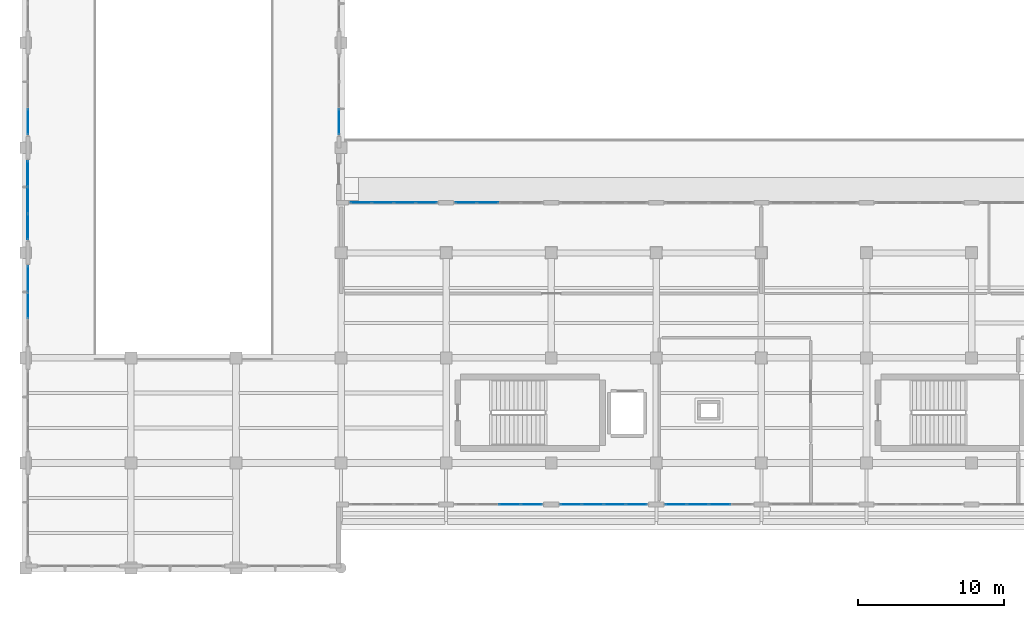
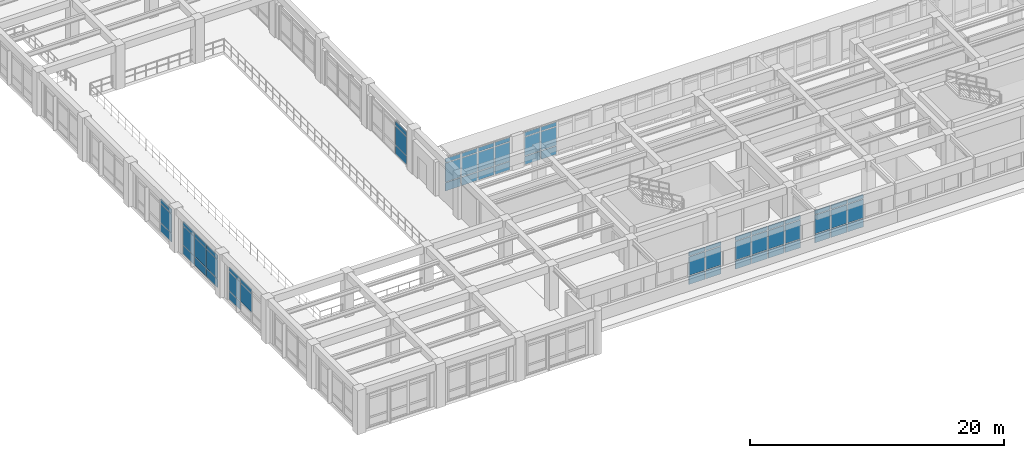
# One storey, part 34 of 67: 65 plates, 9 elements without a shape of their own.
"""IFC4 building model written with IfcOpenShell, lengths in metres."""

import ifcopenshell
import ifcopenshell.guid

model = None  # the IFC model being written
_history = None  # IfcOwnerHistory: only IFC2X3 demands one
_inside = {}  # id of a spatial element -> (the spatial element, [elements in it])
_under = {}  # id of a project, library or spatial element -> (it, [spatial elements below it])
_declared = {}  # id of a project -> (the project, [libraries it declares])
_typed = {}  # id of a type object -> (the type object, [elements of that type])
_made_of = {}  # id of a material, layer set ... -> (it, [elements and type objects made of it])


def new_model(schema):
    """Start an empty IFC model of exactly this schema.

    Asked for "IFC4X3", IfcOpenShell would pick the latest addendum, in which some entities
    have other attributes; the version numbers below select the first issue.
    IFC2X3 requires an IfcOwnerHistory on every rooted entity: one is made here for all.
    """
    global model, _history
    if schema == "IFC4X3":
        model = ifcopenshell.file(schema_version=(4, 3, 0, 0))
    else:
        model = ifcopenshell.file(schema=schema)
    _inside.clear()
    _under.clear()
    _declared.clear()
    _typed.clear()
    _made_of.clear()
    _history = None
    if model.schema == "IFC2X3":
        org = make("IfcOrganization", Name="unknown")
        user = make(
            "IfcPersonAndOrganization",
            ThePerson=make("IfcPerson", FamilyName="unknown"),
            TheOrganization=org,
        )
        app = make(
            "IfcApplication",
            ApplicationDeveloper=org,
            Version="unknown",
            ApplicationFullName="unknown",
            ApplicationIdentifier="unknown",
        )
        _history = make(
            "IfcOwnerHistory",
            OwningUser=user,
            OwningApplication=app,
            ChangeAction="ADDED",
            CreationDate=0,
        )
    return model


def make(cls, **values):
    """One entity of the class cls with the attributes given. An attribute that is None is left unset."""
    return model.create_entity(
        cls, **{name: value for name, value in values.items() if value is not None}
    )


def rooted(cls, **values):
    """An entity with a GlobalId (a new one), such as an element, a storey or a relation."""
    return make(cls, GlobalId=ifcopenshell.guid.new(), OwnerHistory=_history, **values)


def si_unit(unit_type, name, prefix=None):
    """IfcSIUnit, for example si_unit("LENGTHUNIT", "METRE", prefix="MILLI")."""
    return make("IfcSIUnit", UnitType=unit_type, Prefix=prefix, Name=name)


def assignment(units):
    """IfcUnitAssignment: the units of a project."""
    return None if units is None else make("IfcUnitAssignment", Units=units)


def point(xyz):
    """IfcCartesianPoint."""
    return None if xyz is None else make("IfcCartesianPoint", Coordinates=xyz)


def direction(xyz):
    """IfcDirection."""
    return None if xyz is None else make("IfcDirection", DirectionRatios=xyz)


def frame(location, z_axis=None, x_axis=None):
    """IfcAxis2Placement3D, a coordinate frame: its origin and axes. An axis left out is left unset."""
    return make(
        "IfcAxis2Placement3D",
        Location=point(location),
        Axis=direction(z_axis),
        RefDirection=direction(x_axis),
    )


def frame_2d(location, x_axis=None):
    """IfcAxis2Placement2D, a coordinate frame in the plane: its origin and x axis."""
    return make(
        "IfcAxis2Placement2D", Location=point(location), RefDirection=direction(x_axis)
    )


def origin():
    """The frame at (0, 0, 0) with its axes left unset."""
    return frame((0.0, 0.0, 0.0))


def origin_2d():
    """The frame at (0, 0) in the plane with its x axis left unset."""
    return frame_2d((0.0, 0.0))


def place(relative_to, where):
    """IfcLocalPlacement: puts the frame where relative to a parent placement (None: the world)."""
    return make(
        "IfcLocalPlacement", PlacementRelTo=relative_to, RelativePlacement=where
    )


def context(
    kind, dimensions, precision=None, world=None, true_north=None, identifier=None
):
    """IfcGeometricRepresentationContext, for example the 3D "Model" context."""
    return make(
        "IfcGeometricRepresentationContext",
        ContextIdentifier=identifier,
        ContextType=kind,
        CoordinateSpaceDimension=dimensions,
        Precision=precision,
        WorldCoordinateSystem=world,
        TrueNorth=true_north,
    )


def subcontext(parent, identifier, kind, view, scale=None):
    """IfcGeometricRepresentationSubContext, for example "Body" below "Model"."""
    return make(
        "IfcGeometricRepresentationSubContext",
        ContextIdentifier=identifier,
        ContextType=kind,
        ParentContext=parent,
        TargetScale=scale,
        TargetView=view,
    )


def project(units=None, contexts=None):
    """IfcProject with its units and contexts."""
    return rooted(
        "IfcProject",
        Name="project",
        RepresentationContexts=contexts,
        UnitsInContext=assignment(units),
    )


def spatial(cls, under=None, at=None, **own):
    """A site, building, storey or space (cls), placed at a placement, below another one or the project."""
    s = rooted(cls, ObjectPlacement=at, **own)
    if under is not None:
        _under.setdefault(under.id(), (under, []))[1].append(s)
    return s


def profile(cls, at=None, kind="AREA", **sizes):
    """A parametric profile (cls). Its sizes go by their IFC names, for example OverallWidth=200.0."""
    return make(cls, ProfileType=kind, Position=at, **sizes)


def rectangle(**sizes):
    """IfcRectangleProfileDef."""
    return profile("IfcRectangleProfileDef", **sizes)


def extrude(swept, where, along, depth):
    """IfcExtrudedAreaSolid: the profile swept, set in the frame where, extruded along a direction by depth."""
    return make(
        "IfcExtrudedAreaSolid",
        SweptArea=swept,
        Position=where,
        ExtrudedDirection=direction(along),
        Depth=depth,
    )


def shape(context_of_items, identifier, shape_type, items):
    """IfcShapeRepresentation: the items that make up one representation, for example the "Body"."""
    return make(
        "IfcShapeRepresentation",
        ContextOfItems=context_of_items,
        RepresentationIdentifier=identifier,
        RepresentationType=shape_type,
        Items=items,
    )


def material(Name=None, Category=None):
    """IfcMaterial."""
    return make("IfcMaterial", Name=Name, Category=Category)


def layer(
    of_material, thickness, ventilated=None, Name=None, Category=None, Priority=None
):
    """IfcMaterialLayer: one layer of a wall or slab, of a material (None: an air gap)."""
    return make(
        "IfcMaterialLayer",
        Material=of_material,
        LayerThickness=thickness,
        IsVentilated=ventilated,
        Name=Name,
        Category=Category,
        Priority=Priority,
    )


def layer_set(layers, Name=None):
    """IfcMaterialLayerSet."""
    return make("IfcMaterialLayerSet", MaterialLayers=layers, LayerSetName=Name)


def made_of(thing, what):
    """Note that an element or type object is made of a material, layer set ...; save() writes the relation."""
    if what is not None:
        _made_of.setdefault(what.id(), (what, []))[1].append(thing)
    return thing


def type_object(cls, material=None, **own):
    """A type object (cls), such as IfcWallType, which elements share."""
    return made_of(rooted(cls, **own), material)


def element(
    cls,
    number,
    at=None,
    inside=None,
    cuts=None,
    type_object=None,
    material=None,
    context=None,
    identifier="Body",
    shape_type=None,
    held_by="IfcProductDefinitionShape",
    body=None,
    shapes=None,
    **own,
):
    """One element of the class cls, such as IfcWall. Its Tag is "e" and its number.

    at: its placement. inside: the storey or other place that contains it. cuts: it is an
    opening in that element (IfcRelVoidsElement). A single representation is given by context,
    identifier, shape_type and body (its items); several are given by shapes. held_by: the class
    of the entity that holds the representations. save() writes the other relations.
    """
    e = rooted(cls, Tag="e%d" % number, ObjectPlacement=at, **own)
    if body is not None:
        shapes = [shape(context, identifier, shape_type, body)]
    if shapes is not None:
        e.Representation = make(held_by, Representations=shapes)
    if inside is not None:
        _inside.setdefault(inside.id(), (inside, []))[1].append(e)
    if cuts is not None:
        rooted(
            "IfcRelVoidsElement", RelatingBuildingElement=cuts, RelatedOpeningElement=e
        )
    if type_object is not None:
        _typed.setdefault(type_object.id(), (type_object, []))[1].append(e)
    return made_of(e, material)


def aggregate(whole, parts):
    """IfcRelAggregates: a whole, such as a stair, and the parts it consists of."""
    return rooted("IfcRelAggregates", RelatingObject=whole, RelatedObjects=parts)


def save(model, path):
    """Write the relations noted so far, then the file.

    IfcRelAggregates (storeys below a building ...), IfcRelContainedInSpatialStructure (elements
    in a storey), IfcRelDefinesByType, IfcRelAssociatesMaterial and IfcRelDeclares: one each for
    every whole, place, type object, material and project.
    """
    for whole, parts in _under.values():
        aggregate(whole, parts)
    for where, things in _inside.values():
        rooted(
            "IfcRelContainedInSpatialStructure",
            RelatedElements=things,
            RelatingStructure=where,
        )
    for kind, things in _typed.values():
        rooted("IfcRelDefinesByType", RelatedObjects=things, RelatingType=kind)
    for what, things in _made_of.values():
        rooted("IfcRelAssociatesMaterial", RelatedObjects=things, RelatingMaterial=what)
    for by, libraries in _declared.values():
        rooted("IfcRelDeclares", RelatingContext=by, RelatedDefinitions=libraries)
    model.write(path)


model = new_model("IFC4")

# Units and contexts
model_context = context("Model", 3, precision=1e-05, world=origin(), true_north=direction((0.0, 1.0)))
body_context = subcontext(model_context, "Body", "Model", "MODEL_VIEW")
ifc_project = project(units=[si_unit("LENGTHUNIT", "METRE"), si_unit("AREAUNIT", "SQUARE_METRE"), si_unit("VOLUMEUNIT", "CUBIC_METRE"), si_unit("PLANEANGLEUNIT", "RADIAN"), si_unit("MASSUNIT", "GRAM", prefix="KILO")], contexts=[model_context])

# Site, building, storey
site_placement = place(None, origin())
site = spatial("IfcSite", under=ifc_project, at=site_placement, CompositionType="ELEMENT")
building_placement = place(site_placement, origin())
building = spatial("IfcBuilding", under=site, at=building_placement, Name="Solenvale Faculty of Natural Sciences", CompositionType="ELEMENT")
storey_placement = place(building_placement, frame((0.0, 0.0, 13.5)))
storey = spatial("IfcBuildingStorey", under=building, at=storey_placement, Name="L03", CompositionType="ELEMENT", Elevation=13.5)

# Curtain wall, plates
ifc_material_1 = material(Name="Anodised bronze aluminium", Category="aluminium")
ifc_layer_1 = layer(ifc_material_1, 0.215087890625)
ifc_layer_set_1 = layer_set([ifc_layer_1], Name="Anodised bronze aluminium")
curtain_wall_type_1 = type_object("IfcCurtainWallType", Name="CW-ATR-UNIT", PredefinedType="USERDEFINED", material=ifc_layer_set_1)
curtain_wall_1_placement = place(storey_placement, origin())
curtain_wall_1 = element("IfcCurtainWall", 1, at=curtain_wall_1_placement, inside=storey, type_object=curtain_wall_type_1, Name="L03 Curtain Wall CW-L03-P1-E3-B9", ObjectType="UNITISED CURTAIN WALL", PredefinedType="USERDEFINED")
ifc_material_2 = material(Name="North-light skylight glass", Category="glass")
ifc_layer_2 = layer(ifc_material_2, 0.028076171875)
ifc_layer_set_2 = layer_set([ifc_layer_2], Name="North-light skylight glass")
plate_type_1 = type_object("IfcPlateType", Name="CWP-PNL-28", PredefinedType="CURTAIN_PANEL", material=ifc_layer_set_2)
plate_1_placement = place(storey_placement, frame((36.142578125, 34.214599609375, 0.074951171875), z_axis=(0.0, 0.0, 1.0), x_axis=(0.0, -1.0, 0.0)))
plate_1 = element("IfcPlate", 2, at=plate_1_placement, type_object=plate_type_1, Name="CW-01 panel 1.1", PredefinedType="CURTAIN_PANEL", context=body_context, shape_type="SweptSolid", body=[
    extrude(rectangle(XDim=1.720947265625, YDim=0.028076171875, at=origin_2d()), origin(), (0.0, 0.0, 1.0), 0.78759765625),
])
plate_2_placement = place(storey_placement, frame((36.142578125, 34.214599609375, 0.9375), z_axis=(0.0, 0.0, 1.0), x_axis=(0.0, -1.0, 0.0)))
plate_2 = element("IfcPlate", 3, at=plate_2_placement, type_object=plate_type_1, Name="CW-01 panel 1.2", PredefinedType="CURTAIN_PANEL", context=body_context, shape_type="SweptSolid", body=[
    extrude(rectangle(XDim=1.720947265625, YDim=0.028076171875, at=origin_2d()), origin(), (0.0, 0.0, 1.0), 1.784912109375),
])
plate_3_placement = place(storey_placement, frame((36.142578125, 34.214599609375, 2.79736328125), z_axis=(0.0, 0.0, 1.0), x_axis=(0.0, -1.0, 0.0)))
plate_3 = element("IfcPlate", 4, at=plate_3_placement, type_object=plate_type_1, Name="CW-01 panel 1.3", PredefinedType="CURTAIN_PANEL", context=body_context, shape_type="SweptSolid", body=[
    extrude(rectangle(XDim=1.720947265625, YDim=0.028076171875, at=origin_2d()), origin(), (0.0, 0.0, 1.0), 0.387451171875),
])
plate_4_placement = place(storey_placement, frame((36.142578125, 32.39990234375, 0.9375), z_axis=(0.0, 0.0, 1.0), x_axis=(0.0, -1.0, 0.0)))
plate_4 = element("IfcPlate", 5, at=plate_4_placement, type_object=plate_type_1, Name="CW-01 panel 2.2", PredefinedType="CURTAIN_PANEL", context=body_context, shape_type="SweptSolid", body=[
    extrude(rectangle(XDim=1.75830078125, YDim=0.028076171875, at=origin_2d()), origin(), (0.0, 0.0, 1.0), 1.784912109375),
])
plate_5_placement = place(storey_placement, frame((36.142578125, 32.39990234375, 2.79736328125), z_axis=(0.0, 0.0, 1.0), x_axis=(0.0, -1.0, 0.0)))
plate_5 = element("IfcPlate", 6, at=plate_5_placement, type_object=plate_type_1, Name="CW-01 panel 2.3", PredefinedType="CURTAIN_PANEL", context=body_context, shape_type="SweptSolid", body=[
    extrude(rectangle(XDim=1.75830078125, YDim=0.028076171875, at=origin_2d()), origin(), (0.0, 0.0, 1.0), 0.387451171875),
])
aggregate(curtain_wall_1, [plate_1, plate_2, plate_3, plate_4, plate_5])

ifc_layer_3 = layer(ifc_material_1, 0.18994140625)
ifc_layer_set_3 = layer_set([ifc_layer_3], Name="Anodised bronze aluminium")
curtain_wall_type_2 = type_object("IfcCurtainWallType", Name="CW-TRAY-REC", PredefinedType="USERDEFINED", material=ifc_layer_set_3)
curtain_wall_2_placement = place(storey_placement, origin())
curtain_wall_2 = element("IfcCurtainWall", 7, at=curtain_wall_2_placement, inside=storey, type_object=curtain_wall_type_2, Name="L03 Curtain Wall CW-L03-P1-E8-B7", ObjectType="UNITISED CURTAIN WALL", PredefinedType="USERDEFINED")
ifc_material_3 = material(Name="Triple low-E insulated glass", Category="glass")
ifc_layer_4 = layer(ifc_material_3, 0.0400390625)
ifc_layer_set_4 = layer_set([ifc_layer_4], Name="Triple low-E insulated glass")
plate_type_2 = type_object("IfcPlateType", Name="CWP-PNL-40", PredefinedType="CURTAIN_PANEL", material=ifc_layer_set_4)
plate_6_placement = place(storey_placement, frame((67.64501953125, 39.4375, 0.074951171875), z_axis=(0.0, 0.0, 1.0), x_axis=(-1.0, 0.0, 0.0)))
plate_6 = element("IfcPlate", 8, at=plate_6_placement, type_object=plate_type_2, Name="CW-02 panel 3.1", PredefinedType="CURTAIN_PANEL", context=body_context, shape_type="SweptSolid", body=[
    extrude(rectangle(XDim=1.43505859375, YDim=0.0400390625, at=origin_2d()), origin(), (0.0, 0.0, 1.0), 0.78759765625),
])
plate_7_placement = place(storey_placement, frame((67.64501953125, 39.4375, 0.9375), z_axis=(0.0, 0.0, 1.0), x_axis=(-1.0, 0.0, 0.0)))
plate_7 = element("IfcPlate", 9, at=plate_7_placement, type_object=plate_type_2, Name="CW-02 panel 3.2", PredefinedType="CURTAIN_PANEL", context=body_context, shape_type="SweptSolid", body=[
    extrude(rectangle(XDim=1.43505859375, YDim=0.0400390625, at=origin_2d()), origin(), (0.0, 0.0, 1.0), 1.784912109375),
])
plate_8_placement = place(storey_placement, frame((67.64501953125, 39.4375, 2.79736328125), z_axis=(0.0, 0.0, 1.0), x_axis=(-1.0, 0.0, 0.0)))
plate_8 = element("IfcPlate", 10, at=plate_8_placement, type_object=plate_type_2, Name="CW-02 panel 3.3", PredefinedType="CURTAIN_PANEL", context=body_context, shape_type="SweptSolid", body=[
    extrude(rectangle(XDim=1.43505859375, YDim=0.0400390625, at=origin_2d()), origin(), (0.0, 0.0, 1.0), 0.387451171875),
])
plate_9_placement = place(storey_placement, frame((66.15380859375, 39.4375, 0.074951171875), z_axis=(0.0, 0.0, 1.0), x_axis=(-1.0, 0.0, 0.0)))
plate_9 = element("IfcPlate", 11, at=plate_9_placement, type_object=plate_type_2, Name="CW-02 panel 4.1", PredefinedType="CURTAIN_PANEL", context=body_context, shape_type="SweptSolid", body=[
    extrude(rectangle(XDim=1.3974609375, YDim=0.0400390625, at=origin_2d()), origin(), (0.0, 0.0, 1.0), 0.78759765625),
])
plate_10_placement = place(storey_placement, frame((66.15380859375, 39.4375, 0.9375), z_axis=(0.0, 0.0, 1.0), x_axis=(-1.0, 0.0, 0.0)))
plate_10 = element("IfcPlate", 12, at=plate_10_placement, type_object=plate_type_2, Name="CW-02 panel 4.2", PredefinedType="CURTAIN_PANEL", context=body_context, shape_type="SweptSolid", body=[
    extrude(rectangle(XDim=1.3974609375, YDim=0.0400390625, at=origin_2d()), origin(), (0.0, 0.0, 1.0), 1.784912109375),
])
plate_11_placement = place(storey_placement, frame((66.15380859375, 39.4375, 2.79736328125), z_axis=(0.0, 0.0, 1.0), x_axis=(-1.0, 0.0, 0.0)))
plate_11 = element("IfcPlate", 13, at=plate_11_placement, type_object=plate_type_2, Name="CW-02 panel 4.3", PredefinedType="CURTAIN_PANEL", context=body_context, shape_type="SweptSolid", body=[
    extrude(rectangle(XDim=1.3974609375, YDim=0.0400390625, at=origin_2d()), origin(), (0.0, 0.0, 1.0), 0.387451171875),
])
aggregate(curtain_wall_2, [plate_6, plate_7, plate_8, plate_9, plate_10, plate_11])

curtain_wall_3_placement = place(storey_placement, origin())
curtain_wall_3 = element("IfcCurtainWall", 14, at=curtain_wall_3_placement, inside=storey, type_object=curtain_wall_type_2, Name="L03 Curtain Wall CW-L03-P1-E6-B2", ObjectType="UNITISED CURTAIN WALL", PredefinedType="USERDEFINED")
ifc_layer_5 = layer(ifc_material_3, 0.0439453125)
ifc_layer_set_5 = layer_set([ifc_layer_5], Name="Triple low-E insulated glass")
plate_type_3 = type_object("IfcPlateType", Name="CWP-PNL-44", PredefinedType="CURTAIN_PANEL", material=ifc_layer_set_5)
plate_12_placement = place(storey_placement, frame((69.155029296875, 18.762451171875, 0.074951171875), z_axis=(0.0, 0.0, 1.0), x_axis=(1.0, 0.0, 0.0)))
plate_12 = element("IfcPlate", 15, at=plate_12_placement, type_object=plate_type_3, Name="CW-02 panel 3.1", PredefinedType="CURTAIN_PANEL", context=body_context, shape_type="SweptSolid", body=[
    extrude(rectangle(XDim=1.43505859375, YDim=0.0439453125, at=origin_2d()), origin(), (0.0, 0.0, 1.0), 0.78759765625),
])
plate_13_placement = place(storey_placement, frame((69.155029296875, 18.762451171875, 0.9375), z_axis=(0.0, 0.0, 1.0), x_axis=(1.0, 0.0, 0.0)))
plate_13 = element("IfcPlate", 16, at=plate_13_placement, type_object=plate_type_3, Name="CW-02 panel 3.2", PredefinedType="CURTAIN_PANEL", context=body_context, shape_type="SweptSolid", body=[
    extrude(rectangle(XDim=1.43505859375, YDim=0.0439453125, at=origin_2d()), origin(), (0.0, 0.0, 1.0), 1.784912109375),
])
plate_14_placement = place(storey_placement, frame((69.155029296875, 18.762451171875, 2.79736328125), z_axis=(0.0, 0.0, 1.0), x_axis=(1.0, 0.0, 0.0)))
plate_14 = element("IfcPlate", 17, at=plate_14_placement, type_object=plate_type_3, Name="CW-02 panel 3.3", PredefinedType="CURTAIN_PANEL", context=body_context, shape_type="SweptSolid", body=[
    extrude(rectangle(XDim=1.43505859375, YDim=0.0439453125, at=origin_2d()), origin(), (0.0, 0.0, 1.0), 0.387451171875),
])
plate_15_placement = place(storey_placement, frame((70.646240234375, 18.762451171875, 0.074951171875), z_axis=(0.0, 0.0, 1.0), x_axis=(1.0, 0.0, 0.0)))
plate_15 = element("IfcPlate", 18, at=plate_15_placement, type_object=plate_type_3, Name="CW-02 panel 4.1", PredefinedType="CURTAIN_PANEL", context=body_context, shape_type="SweptSolid", body=[
    extrude(rectangle(XDim=1.3974609375, YDim=0.0439453125, at=origin_2d()), origin(), (0.0, 0.0, 1.0), 0.78759765625),
])
plate_16_placement = place(storey_placement, frame((70.646240234375, 18.762451171875, 0.9375), z_axis=(0.0, 0.0, 1.0), x_axis=(1.0, 0.0, 0.0)))
plate_16 = element("IfcPlate", 19, at=plate_16_placement, type_object=plate_type_3, Name="CW-02 panel 4.2", PredefinedType="CURTAIN_PANEL", context=body_context, shape_type="SweptSolid", body=[
    extrude(rectangle(XDim=1.3974609375, YDim=0.0439453125, at=origin_2d()), origin(), (0.0, 0.0, 1.0), 1.784912109375),
])
plate_17_placement = place(storey_placement, frame((70.646240234375, 18.762451171875, 2.79736328125), z_axis=(0.0, 0.0, 1.0), x_axis=(1.0, 0.0, 0.0)))
plate_17 = element("IfcPlate", 20, at=plate_17_placement, type_object=plate_type_3, Name="CW-02 panel 4.3", PredefinedType="CURTAIN_PANEL", context=body_context, shape_type="SweptSolid", body=[
    extrude(rectangle(XDim=1.3974609375, YDim=0.0439453125, at=origin_2d()), origin(), (0.0, 0.0, 1.0), 0.387451171875),
])
aggregate(curtain_wall_3, [plate_12, plate_13, plate_14, plate_15, plate_16, plate_17])

curtain_wall_4_placement = place(storey_placement, origin())
curtain_wall_4 = element("IfcCurtainWall", 21, at=curtain_wall_4_placement, inside=storey, type_object=curtain_wall_type_2, Name="L03 Curtain Wall CW-L03-P1-E8-B8", ObjectType="UNITISED CURTAIN WALL", PredefinedType="USERDEFINED")
plate_18_placement = place(storey_placement, frame((63.4462890625, 39.4375, 0.074951171875), z_axis=(0.0, 0.0, 1.0), x_axis=(-1.0, 0.0, 0.0)))
plate_18 = element("IfcPlate", 22, at=plate_18_placement, type_object=plate_type_3, Name="CW-02 panel 1.1", PredefinedType="CURTAIN_PANEL", context=body_context, shape_type="SweptSolid", body=[
    extrude(rectangle(XDim=1.3974609375, YDim=0.0439453125, at=origin_2d()), origin(), (0.0, 0.0, 1.0), 0.78759765625),
])
plate_19_placement = place(storey_placement, frame((63.4462890625, 39.4375, 0.9375), z_axis=(0.0, 0.0, 1.0), x_axis=(-1.0, 0.0, 0.0)))
plate_19 = element("IfcPlate", 23, at=plate_19_placement, type_object=plate_type_3, Name="CW-02 panel 1.2", PredefinedType="CURTAIN_PANEL", context=body_context, shape_type="SweptSolid", body=[
    extrude(rectangle(XDim=1.3974609375, YDim=0.0439453125, at=origin_2d()), origin(), (0.0, 0.0, 1.0), 1.784912109375),
])
plate_20_placement = place(storey_placement, frame((63.4462890625, 39.4375, 2.79736328125), z_axis=(0.0, 0.0, 1.0), x_axis=(-1.0, 0.0, 0.0)))
plate_20 = element("IfcPlate", 24, at=plate_20_placement, type_object=plate_type_3, Name="CW-02 panel 1.3", PredefinedType="CURTAIN_PANEL", context=body_context, shape_type="SweptSolid", body=[
    extrude(rectangle(XDim=1.3974609375, YDim=0.0439453125, at=origin_2d()), origin(), (0.0, 0.0, 1.0), 0.387451171875),
])
plate_21_placement = place(storey_placement, frame((61.955078125, 39.4375, 0.074951171875), z_axis=(0.0, 0.0, 1.0), x_axis=(-1.0, 0.0, 0.0)))
plate_21 = element("IfcPlate", 25, at=plate_21_placement, type_object=plate_type_3, Name="CW-02 panel 2.1", PredefinedType="CURTAIN_PANEL", context=body_context, shape_type="SweptSolid", body=[
    extrude(rectangle(XDim=1.43505859375, YDim=0.0439453125, at=origin_2d()), origin(), (0.0, 0.0, 1.0), 0.78759765625),
])
plate_22_placement = place(storey_placement, frame((61.955078125, 39.4375, 0.9375), z_axis=(0.0, 0.0, 1.0), x_axis=(-1.0, 0.0, 0.0)))
plate_22 = element("IfcPlate", 26, at=plate_22_placement, type_object=plate_type_3, Name="CW-02 panel 2.2", PredefinedType="CURTAIN_PANEL", context=body_context, shape_type="SweptSolid", body=[
    extrude(rectangle(XDim=1.43505859375, YDim=0.0439453125, at=origin_2d()), origin(), (0.0, 0.0, 1.0), 1.784912109375),
])
plate_23_placement = place(storey_placement, frame((61.955078125, 39.4375, 2.79736328125), z_axis=(0.0, 0.0, 1.0), x_axis=(-1.0, 0.0, 0.0)))
plate_23 = element("IfcPlate", 27, at=plate_23_placement, type_object=plate_type_3, Name="CW-02 panel 2.3", PredefinedType="CURTAIN_PANEL", context=body_context, shape_type="SweptSolid", body=[
    extrude(rectangle(XDim=1.43505859375, YDim=0.0439453125, at=origin_2d()), origin(), (0.0, 0.0, 1.0), 0.387451171875),
])
plate_24_placement = place(storey_placement, frame((60.445068359375, 39.4375, 0.074951171875), z_axis=(0.0, 0.0, 1.0), x_axis=(-1.0, 0.0, 0.0)))
plate_24 = element("IfcPlate", 28, at=plate_24_placement, type_object=plate_type_3, Name="CW-02 panel 3.1", PredefinedType="CURTAIN_PANEL", context=body_context, shape_type="SweptSolid", body=[
    extrude(rectangle(XDim=1.43505859375, YDim=0.0439453125, at=origin_2d()), origin(), (0.0, 0.0, 1.0), 0.78759765625),
])
plate_25_placement = place(storey_placement, frame((60.445068359375, 39.4375, 0.9375), z_axis=(0.0, 0.0, 1.0), x_axis=(-1.0, 0.0, 0.0)))
plate_25 = element("IfcPlate", 29, at=plate_25_placement, type_object=plate_type_3, Name="CW-02 panel 3.2", PredefinedType="CURTAIN_PANEL", context=body_context, shape_type="SweptSolid", body=[
    extrude(rectangle(XDim=1.43505859375, YDim=0.0439453125, at=origin_2d()), origin(), (0.0, 0.0, 1.0), 1.784912109375),
])
plate_26_placement = place(storey_placement, frame((60.445068359375, 39.4375, 2.79736328125), z_axis=(0.0, 0.0, 1.0), x_axis=(-1.0, 0.0, 0.0)))
plate_26 = element("IfcPlate", 30, at=plate_26_placement, type_object=plate_type_3, Name="CW-02 panel 3.3", PredefinedType="CURTAIN_PANEL", context=body_context, shape_type="SweptSolid", body=[
    extrude(rectangle(XDim=1.43505859375, YDim=0.0439453125, at=origin_2d()), origin(), (0.0, 0.0, 1.0), 0.387451171875),
])
plate_27_placement = place(storey_placement, frame((58.953857421875, 39.4375, 0.074951171875), z_axis=(0.0, 0.0, 1.0), x_axis=(-1.0, 0.0, 0.0)))
plate_27 = element("IfcPlate", 31, at=plate_27_placement, type_object=plate_type_3, Name="CW-02 panel 4.1", PredefinedType="CURTAIN_PANEL", context=body_context, shape_type="SweptSolid", body=[
    extrude(rectangle(XDim=1.3974609375, YDim=0.0439453125, at=origin_2d()), origin(), (0.0, 0.0, 1.0), 0.78759765625),
])
plate_28_placement = place(storey_placement, frame((58.953857421875, 39.4375, 0.9375), z_axis=(0.0, 0.0, 1.0), x_axis=(-1.0, 0.0, 0.0)))
plate_28 = element("IfcPlate", 32, at=plate_28_placement, type_object=plate_type_3, Name="CW-02 panel 4.2", PredefinedType="CURTAIN_PANEL", context=body_context, shape_type="SweptSolid", body=[
    extrude(rectangle(XDim=1.3974609375, YDim=0.0439453125, at=origin_2d()), origin(), (0.0, 0.0, 1.0), 1.784912109375),
])
plate_29_placement = place(storey_placement, frame((58.953857421875, 39.4375, 2.79736328125), z_axis=(0.0, 0.0, 1.0), x_axis=(-1.0, 0.0, 0.0)))
plate_29 = element("IfcPlate", 33, at=plate_29_placement, type_object=plate_type_3, Name="CW-02 panel 4.3", PredefinedType="CURTAIN_PANEL", context=body_context, shape_type="SweptSolid", body=[
    extrude(rectangle(XDim=1.3974609375, YDim=0.0439453125, at=origin_2d()), origin(), (0.0, 0.0, 1.0), 0.387451171875),
])
aggregate(curtain_wall_4, [plate_18, plate_19, plate_20, plate_21, plate_22, plate_23, plate_24, plate_25, plate_26, plate_27, plate_28, plate_29])

curtain_wall_5_placement = place(storey_placement, origin())
curtain_wall_5 = element("IfcCurtainWall", 34, at=curtain_wall_5_placement, inside=storey, type_object=curtain_wall_type_2, Name="L03 Curtain Wall CW-L03-P1-E6-B3", ObjectType="UNITISED CURTAIN WALL", PredefinedType="USERDEFINED")
ifc_layer_6 = layer(ifc_material_1, 0.048095703125)
ifc_layer_set_6 = layer_set([ifc_layer_6], Name="Anodised bronze aluminium")
plate_type_4 = type_object("IfcPlateType", Name="CWP-PNL-48", PredefinedType="CURTAIN_PANEL", material=ifc_layer_set_6)
plate_30_placement = place(storey_placement, frame((73.353759765625, 18.762451171875, 0.074951171875), z_axis=(0.0, 0.0, 1.0), x_axis=(1.0, 0.0, 0.0)))
plate_30 = element("IfcPlate", 35, at=plate_30_placement, type_object=plate_type_4, Name="CW-02 panel 1.1", PredefinedType="CURTAIN_PANEL", context=body_context, shape_type="SweptSolid", body=[
    extrude(rectangle(XDim=1.3974609375, YDim=0.048095703125, at=origin_2d()), origin(), (0.0, 0.0, 1.0), 0.78759765625),
])
plate_31_placement = place(storey_placement, frame((73.353759765625, 18.762451171875, 0.9375), z_axis=(0.0, 0.0, 1.0), x_axis=(1.0, 0.0, 0.0)))
plate_31 = element("IfcPlate", 36, at=plate_31_placement, type_object=plate_type_4, Name="CW-02 panel 1.2", PredefinedType="CURTAIN_PANEL", context=body_context, shape_type="SweptSolid", body=[
    extrude(rectangle(XDim=1.3974609375, YDim=0.048095703125, at=origin_2d()), origin(), (0.0, 0.0, 1.0), 1.784912109375),
])
plate_32_placement = place(storey_placement, frame((73.353759765625, 18.762451171875, 2.79736328125), z_axis=(0.0, 0.0, 1.0), x_axis=(1.0, 0.0, 0.0)))
plate_32 = element("IfcPlate", 37, at=plate_32_placement, type_object=plate_type_4, Name="CW-02 panel 1.3", PredefinedType="CURTAIN_PANEL", context=body_context, shape_type="SweptSolid", body=[
    extrude(rectangle(XDim=1.3974609375, YDim=0.048095703125, at=origin_2d()), origin(), (0.0, 0.0, 1.0), 0.387451171875),
])
plate_33_placement = place(storey_placement, frame((74.844970703125, 18.762451171875, 0.074951171875), z_axis=(0.0, 0.0, 1.0), x_axis=(1.0, 0.0, 0.0)))
plate_33 = element("IfcPlate", 38, at=plate_33_placement, type_object=plate_type_4, Name="CW-02 panel 2.1", PredefinedType="CURTAIN_PANEL", context=body_context, shape_type="SweptSolid", body=[
    extrude(rectangle(XDim=1.43505859375, YDim=0.048095703125, at=origin_2d()), origin(), (0.0, 0.0, 1.0), 0.78759765625),
])
plate_34_placement = place(storey_placement, frame((74.844970703125, 18.762451171875, 0.9375), z_axis=(0.0, 0.0, 1.0), x_axis=(1.0, 0.0, 0.0)))
plate_34 = element("IfcPlate", 39, at=plate_34_placement, type_object=plate_type_4, Name="CW-02 panel 2.2", PredefinedType="CURTAIN_PANEL", context=body_context, shape_type="SweptSolid", body=[
    extrude(rectangle(XDim=1.43505859375, YDim=0.048095703125, at=origin_2d()), origin(), (0.0, 0.0, 1.0), 1.784912109375),
])
plate_35_placement = place(storey_placement, frame((74.844970703125, 18.762451171875, 2.79736328125), z_axis=(0.0, 0.0, 1.0), x_axis=(1.0, 0.0, 0.0)))
plate_35 = element("IfcPlate", 40, at=plate_35_placement, type_object=plate_type_4, Name="CW-02 panel 2.3", PredefinedType="CURTAIN_PANEL", context=body_context, shape_type="SweptSolid", body=[
    extrude(rectangle(XDim=1.43505859375, YDim=0.048095703125, at=origin_2d()), origin(), (0.0, 0.0, 1.0), 0.387451171875),
])
plate_36_placement = place(storey_placement, frame((76.35498046875, 18.762451171875, 0.074951171875), z_axis=(0.0, 0.0, 1.0), x_axis=(1.0, 0.0, 0.0)))
plate_36 = element("IfcPlate", 41, at=plate_36_placement, type_object=plate_type_4, Name="CW-02 panel 3.1", PredefinedType="CURTAIN_PANEL", context=body_context, shape_type="SweptSolid", body=[
    extrude(rectangle(XDim=1.43505859375, YDim=0.048095703125, at=origin_2d()), origin(), (0.0, 0.0, 1.0), 0.78759765625),
])
plate_37_placement = place(storey_placement, frame((76.35498046875, 18.762451171875, 0.9375), z_axis=(0.0, 0.0, 1.0), x_axis=(1.0, 0.0, 0.0)))
plate_37 = element("IfcPlate", 42, at=plate_37_placement, type_object=plate_type_4, Name="CW-02 panel 3.2", PredefinedType="CURTAIN_PANEL", context=body_context, shape_type="SweptSolid", body=[
    extrude(rectangle(XDim=1.43505859375, YDim=0.048095703125, at=origin_2d()), origin(), (0.0, 0.0, 1.0), 1.784912109375),
])
plate_38_placement = place(storey_placement, frame((76.35498046875, 18.762451171875, 2.79736328125), z_axis=(0.0, 0.0, 1.0), x_axis=(1.0, 0.0, 0.0)))
plate_38 = element("IfcPlate", 43, at=plate_38_placement, type_object=plate_type_4, Name="CW-02 panel 3.3", PredefinedType="CURTAIN_PANEL", context=body_context, shape_type="SweptSolid", body=[
    extrude(rectangle(XDim=1.43505859375, YDim=0.048095703125, at=origin_2d()), origin(), (0.0, 0.0, 1.0), 0.387451171875),
])
plate_39_placement = place(storey_placement, frame((77.84619140625, 18.762451171875, 0.074951171875), z_axis=(0.0, 0.0, 1.0), x_axis=(1.0, 0.0, 0.0)))
plate_39 = element("IfcPlate", 44, at=plate_39_placement, type_object=plate_type_4, Name="CW-02 panel 4.1", PredefinedType="CURTAIN_PANEL", context=body_context, shape_type="SweptSolid", body=[
    extrude(rectangle(XDim=1.3974609375, YDim=0.048095703125, at=origin_2d()), origin(), (0.0, 0.0, 1.0), 0.78759765625),
])
plate_40_placement = place(storey_placement, frame((77.84619140625, 18.762451171875, 0.9375), z_axis=(0.0, 0.0, 1.0), x_axis=(1.0, 0.0, 0.0)))
plate_40 = element("IfcPlate", 45, at=plate_40_placement, type_object=plate_type_4, Name="CW-02 panel 4.2", PredefinedType="CURTAIN_PANEL", context=body_context, shape_type="SweptSolid", body=[
    extrude(rectangle(XDim=1.3974609375, YDim=0.048095703125, at=origin_2d()), origin(), (0.0, 0.0, 1.0), 1.784912109375),
])
plate_41_placement = place(storey_placement, frame((77.84619140625, 18.762451171875, 2.79736328125), z_axis=(0.0, 0.0, 1.0), x_axis=(1.0, 0.0, 0.0)))
plate_41 = element("IfcPlate", 46, at=plate_41_placement, type_object=plate_type_4, Name="CW-02 panel 4.3", PredefinedType="CURTAIN_PANEL", context=body_context, shape_type="SweptSolid", body=[
    extrude(rectangle(XDim=1.3974609375, YDim=0.048095703125, at=origin_2d()), origin(), (0.0, 0.0, 1.0), 0.387451171875),
])
aggregate(curtain_wall_5, [plate_30, plate_31, plate_32, plate_33, plate_34, plate_35, plate_36, plate_37, plate_38, plate_39, plate_40, plate_41])

curtain_wall_6_placement = place(storey_placement, origin())
curtain_wall_6 = element("IfcCurtainWall", 47, at=curtain_wall_6_placement, inside=storey, type_object=curtain_wall_type_1, Name="L03 Curtain Wall CW-L03-P1-E3-B7", ObjectType="UNITISED CURTAIN WALL", PredefinedType="USERDEFINED")
ifc_layer_7 = layer(ifc_material_1, 0.053955078125)
ifc_layer_set_7 = layer_set([ifc_layer_7], Name="Anodised bronze aluminium")
plate_type_5 = type_object("IfcPlateType", Name="CWP-PNL-54", PredefinedType="CURTAIN_PANEL", material=ifc_layer_set_7)
plate_42_placement = place(storey_placement, frame((36.142578125, 44.9853515625, 0.074951171875), z_axis=(0.0, 0.0, 1.0), x_axis=(0.0, -1.0, 0.0)))
plate_42 = element("IfcPlate", 48, at=plate_42_placement, type_object=plate_type_5, Name="CW-01 panel 3.1", PredefinedType="CURTAIN_PANEL", context=body_context, shape_type="SweptSolid", body=[
    extrude(rectangle(XDim=1.720947265625, YDim=0.053955078125, at=origin_2d()), origin(), (0.0, 0.0, 1.0), 0.78759765625),
])
plate_43_placement = place(storey_placement, frame((36.142578125, 44.9853515625, 0.9375), z_axis=(0.0, 0.0, 1.0), x_axis=(0.0, -1.0, 0.0)))
plate_43 = element("IfcPlate", 49, at=plate_43_placement, type_object=plate_type_5, Name="CW-01 panel 3.2", PredefinedType="CURTAIN_PANEL", context=body_context, shape_type="SweptSolid", body=[
    extrude(rectangle(XDim=1.720947265625, YDim=0.053955078125, at=origin_2d()), origin(), (0.0, 0.0, 1.0), 1.784912109375),
])
plate_44_placement = place(storey_placement, frame((36.142578125, 44.9853515625, 2.79736328125), z_axis=(0.0, 0.0, 1.0), x_axis=(0.0, -1.0, 0.0)))
plate_44 = element("IfcPlate", 50, at=plate_44_placement, type_object=plate_type_5, Name="CW-01 panel 3.3", PredefinedType="CURTAIN_PANEL", context=body_context, shape_type="SweptSolid", body=[
    extrude(rectangle(XDim=1.720947265625, YDim=0.053955078125, at=origin_2d()), origin(), (0.0, 0.0, 1.0), 0.387451171875),
])
aggregate(curtain_wall_6, [plate_42, plate_43, plate_44])

curtain_wall_7_placement = place(storey_placement, origin())
curtain_wall_7 = element("IfcCurtainWall", 51, at=curtain_wall_7_placement, inside=storey, type_object=curtain_wall_type_2, Name="L03 Curtain Wall CW-L03-P1-E6-B4", ObjectType="UNITISED CURTAIN WALL", PredefinedType="USERDEFINED")
plate_45_placement = place(storey_placement, frame((80.5537109375, 18.762451171875, 0.074951171875), z_axis=(0.0, 0.0, 1.0), x_axis=(1.0, 0.0, 0.0)))
plate_45 = element("IfcPlate", 52, at=plate_45_placement, type_object=plate_type_5, Name="CW-02 panel 1.1", PredefinedType="CURTAIN_PANEL", context=body_context, shape_type="SweptSolid", body=[
    extrude(rectangle(XDim=1.3974609375, YDim=0.053955078125, at=origin_2d()), origin(), (0.0, 0.0, 1.0), 0.78759765625),
])
plate_46_placement = place(storey_placement, frame((80.5537109375, 18.762451171875, 0.9375), z_axis=(0.0, 0.0, 1.0), x_axis=(1.0, 0.0, 0.0)))
plate_46 = element("IfcPlate", 53, at=plate_46_placement, type_object=plate_type_5, Name="CW-02 panel 1.2", PredefinedType="CURTAIN_PANEL", context=body_context, shape_type="SweptSolid", body=[
    extrude(rectangle(XDim=1.3974609375, YDim=0.053955078125, at=origin_2d()), origin(), (0.0, 0.0, 1.0), 1.784912109375),
])
plate_47_placement = place(storey_placement, frame((80.5537109375, 18.762451171875, 2.79736328125), z_axis=(0.0, 0.0, 1.0), x_axis=(1.0, 0.0, 0.0)))
plate_47 = element("IfcPlate", 54, at=plate_47_placement, type_object=plate_type_5, Name="CW-02 panel 1.3", PredefinedType="CURTAIN_PANEL", context=body_context, shape_type="SweptSolid", body=[
    extrude(rectangle(XDim=1.3974609375, YDim=0.053955078125, at=origin_2d()), origin(), (0.0, 0.0, 1.0), 0.387451171875),
])
plate_48_placement = place(storey_placement, frame((82.044921875, 18.762451171875, 0.074951171875), z_axis=(0.0, 0.0, 1.0), x_axis=(1.0, 0.0, 0.0)))
plate_48 = element("IfcPlate", 55, at=plate_48_placement, type_object=plate_type_5, Name="CW-02 panel 2.1", PredefinedType="CURTAIN_PANEL", context=body_context, shape_type="SweptSolid", body=[
    extrude(rectangle(XDim=1.43505859375, YDim=0.053955078125, at=origin_2d()), origin(), (0.0, 0.0, 1.0), 0.78759765625),
])
plate_49_placement = place(storey_placement, frame((82.044921875, 18.762451171875, 0.9375), z_axis=(0.0, 0.0, 1.0), x_axis=(1.0, 0.0, 0.0)))
plate_49 = element("IfcPlate", 56, at=plate_49_placement, type_object=plate_type_5, Name="CW-02 panel 2.2", PredefinedType="CURTAIN_PANEL", context=body_context, shape_type="SweptSolid", body=[
    extrude(rectangle(XDim=1.43505859375, YDim=0.053955078125, at=origin_2d()), origin(), (0.0, 0.0, 1.0), 1.784912109375),
])
plate_50_placement = place(storey_placement, frame((82.044921875, 18.762451171875, 2.79736328125), z_axis=(0.0, 0.0, 1.0), x_axis=(1.0, 0.0, 0.0)))
plate_50 = element("IfcPlate", 57, at=plate_50_placement, type_object=plate_type_5, Name="CW-02 panel 2.3", PredefinedType="CURTAIN_PANEL", context=body_context, shape_type="SweptSolid", body=[
    extrude(rectangle(XDim=1.43505859375, YDim=0.053955078125, at=origin_2d()), origin(), (0.0, 0.0, 1.0), 0.387451171875),
])
plate_51_placement = place(storey_placement, frame((83.554931640625, 18.762451171875, 0.074951171875), z_axis=(0.0, 0.0, 1.0), x_axis=(1.0, 0.0, 0.0)))
plate_51 = element("IfcPlate", 58, at=plate_51_placement, type_object=plate_type_5, Name="CW-02 panel 3.1", PredefinedType="CURTAIN_PANEL", context=body_context, shape_type="SweptSolid", body=[
    extrude(rectangle(XDim=1.43505859375, YDim=0.053955078125, at=origin_2d()), origin(), (0.0, 0.0, 1.0), 0.78759765625),
])
plate_52_placement = place(storey_placement, frame((83.554931640625, 18.762451171875, 0.9375), z_axis=(0.0, 0.0, 1.0), x_axis=(1.0, 0.0, 0.0)))
plate_52 = element("IfcPlate", 59, at=plate_52_placement, type_object=plate_type_5, Name="CW-02 panel 3.2", PredefinedType="CURTAIN_PANEL", context=body_context, shape_type="SweptSolid", body=[
    extrude(rectangle(XDim=1.43505859375, YDim=0.053955078125, at=origin_2d()), origin(), (0.0, 0.0, 1.0), 1.784912109375),
])
plate_53_placement = place(storey_placement, frame((83.554931640625, 18.762451171875, 2.79736328125), z_axis=(0.0, 0.0, 1.0), x_axis=(1.0, 0.0, 0.0)))
plate_53 = element("IfcPlate", 60, at=plate_53_placement, type_object=plate_type_5, Name="CW-02 panel 3.3", PredefinedType="CURTAIN_PANEL", context=body_context, shape_type="SweptSolid", body=[
    extrude(rectangle(XDim=1.43505859375, YDim=0.053955078125, at=origin_2d()), origin(), (0.0, 0.0, 1.0), 0.387451171875),
])
aggregate(curtain_wall_7, [plate_45, plate_46, plate_47, plate_48, plate_49, plate_50, plate_51, plate_52, plate_53])

curtain_wall_8_placement = place(storey_placement, origin())
curtain_wall_8 = element("IfcCurtainWall", 61, at=curtain_wall_8_placement, inside=storey, type_object=curtain_wall_type_1, Name="L03 Curtain Wall CW-L03-P1-E1-B2", ObjectType="UNITISED CURTAIN WALL", PredefinedType="USERDEFINED")
ifc_layer_8 = layer(ifc_material_1, 0.06005859375)
ifc_layer_set_8 = layer_set([ifc_layer_8], Name="Anodised bronze aluminium")
plate_type_6 = type_object("IfcPlateType", Name="CWP-PNL-60", PredefinedType="CURTAIN_PANEL", material=ifc_layer_set_8)
plate_54_placement = place(storey_placement, frame((57.45751953125, 44.9853515625, 0.074951171875), z_axis=(0.0, 0.0, 1.0), x_axis=(0.0, 1.0, 0.0)))
plate_54 = element("IfcPlate", 62, at=plate_54_placement, type_object=plate_type_6, Name="CW-01 panel 1.1", PredefinedType="CURTAIN_PANEL", context=body_context, shape_type="SweptSolid", body=[
    extrude(rectangle(XDim=1.720947265625, YDim=0.06005859375, at=origin_2d()), origin(), (0.0, 0.0, 1.0), 0.78759765625),
])
plate_55_placement = place(storey_placement, frame((57.45751953125, 44.9853515625, 0.9375), z_axis=(0.0, 0.0, 1.0), x_axis=(0.0, 1.0, 0.0)))
plate_55 = element("IfcPlate", 63, at=plate_55_placement, type_object=plate_type_6, Name="CW-01 panel 1.2", PredefinedType="CURTAIN_PANEL", context=body_context, shape_type="SweptSolid", body=[
    extrude(rectangle(XDim=1.720947265625, YDim=0.06005859375, at=origin_2d()), origin(), (0.0, 0.0, 1.0), 1.784912109375),
])
plate_56_placement = place(storey_placement, frame((57.45751953125, 44.9853515625, 2.79736328125), z_axis=(0.0, 0.0, 1.0), x_axis=(0.0, 1.0, 0.0)))
plate_56 = element("IfcPlate", 64, at=plate_56_placement, type_object=plate_type_6, Name="CW-01 panel 1.3", PredefinedType="CURTAIN_PANEL", context=body_context, shape_type="SweptSolid", body=[
    extrude(rectangle(XDim=1.720947265625, YDim=0.06005859375, at=origin_2d()), origin(), (0.0, 0.0, 1.0), 0.387451171875),
])
aggregate(curtain_wall_8, [plate_54, plate_55, plate_56])

curtain_wall_9_placement = place(storey_placement, origin())
curtain_wall_9 = element("IfcCurtainWall", 65, at=curtain_wall_9_placement, inside=storey, type_object=curtain_wall_type_1, Name="L03 Curtain Wall CW-L03-P1-E3-B8", ObjectType="UNITISED CURTAIN WALL", PredefinedType="USERDEFINED")
plate_57_placement = place(storey_placement, frame((36.142578125, 41.41455078125, 0.074951171875), z_axis=(0.0, 0.0, 1.0), x_axis=(0.0, -1.0, 0.0)))
plate_57 = element("IfcPlate", 66, at=plate_57_placement, type_object=plate_type_6, Name="CW-01 panel 1.1", PredefinedType="CURTAIN_PANEL", context=body_context, shape_type="SweptSolid", body=[
    extrude(rectangle(XDim=1.720947265625, YDim=0.06005859375, at=origin_2d()), origin(), (0.0, 0.0, 1.0), 0.78759765625),
])
plate_58_placement = place(storey_placement, frame((36.142578125, 41.41455078125, 0.9375), z_axis=(0.0, 0.0, 1.0), x_axis=(0.0, -1.0, 0.0)))
plate_58 = element("IfcPlate", 67, at=plate_58_placement, type_object=plate_type_6, Name="CW-01 panel 1.2", PredefinedType="CURTAIN_PANEL", context=body_context, shape_type="SweptSolid", body=[
    extrude(rectangle(XDim=1.720947265625, YDim=0.06005859375, at=origin_2d()), origin(), (0.0, 0.0, 1.0), 1.784912109375),
])
plate_59_placement = place(storey_placement, frame((36.142578125, 41.41455078125, 2.79736328125), z_axis=(0.0, 0.0, 1.0), x_axis=(0.0, -1.0, 0.0)))
plate_59 = element("IfcPlate", 68, at=plate_59_placement, type_object=plate_type_6, Name="CW-01 panel 1.3", PredefinedType="CURTAIN_PANEL", context=body_context, shape_type="SweptSolid", body=[
    extrude(rectangle(XDim=1.720947265625, YDim=0.06005859375, at=origin_2d()), origin(), (0.0, 0.0, 1.0), 0.387451171875),
])
plate_60_placement = place(storey_placement, frame((36.142578125, 39.60009765625, 0.074951171875), z_axis=(0.0, 0.0, 1.0), x_axis=(0.0, -1.0, 0.0)))
plate_60 = element("IfcPlate", 69, at=plate_60_placement, type_object=plate_type_6, Name="CW-01 panel 2.1", PredefinedType="CURTAIN_PANEL", context=body_context, shape_type="SweptSolid", body=[
    extrude(rectangle(XDim=1.75830078125, YDim=0.06005859375, at=origin_2d()), origin(), (0.0, 0.0, 1.0), 0.78759765625),
])
plate_61_placement = place(storey_placement, frame((36.142578125, 39.60009765625, 0.9375), z_axis=(0.0, 0.0, 1.0), x_axis=(0.0, -1.0, 0.0)))
plate_61 = element("IfcPlate", 70, at=plate_61_placement, type_object=plate_type_6, Name="CW-01 panel 2.2", PredefinedType="CURTAIN_PANEL", context=body_context, shape_type="SweptSolid", body=[
    extrude(rectangle(XDim=1.75830078125, YDim=0.06005859375, at=origin_2d()), origin(), (0.0, 0.0, 1.0), 1.784912109375),
])
plate_62_placement = place(storey_placement, frame((36.142578125, 39.60009765625, 2.79736328125), z_axis=(0.0, 0.0, 1.0), x_axis=(0.0, -1.0, 0.0)))
plate_62 = element("IfcPlate", 71, at=plate_62_placement, type_object=plate_type_6, Name="CW-01 panel 2.3", PredefinedType="CURTAIN_PANEL", context=body_context, shape_type="SweptSolid", body=[
    extrude(rectangle(XDim=1.75830078125, YDim=0.06005859375, at=origin_2d()), origin(), (0.0, 0.0, 1.0), 0.387451171875),
])
plate_63_placement = place(storey_placement, frame((36.142578125, 37.785400390625, 0.074951171875), z_axis=(0.0, 0.0, 1.0), x_axis=(0.0, -1.0, 0.0)))
plate_63 = element("IfcPlate", 72, at=plate_63_placement, type_object=plate_type_6, Name="CW-01 panel 3.1", PredefinedType="CURTAIN_PANEL", context=body_context, shape_type="SweptSolid", body=[
    extrude(rectangle(XDim=1.720947265625, YDim=0.06005859375, at=origin_2d()), origin(), (0.0, 0.0, 1.0), 0.78759765625),
])
plate_64_placement = place(storey_placement, frame((36.142578125, 37.785400390625, 0.9375), z_axis=(0.0, 0.0, 1.0), x_axis=(0.0, -1.0, 0.0)))
plate_64 = element("IfcPlate", 73, at=plate_64_placement, type_object=plate_type_6, Name="CW-01 panel 3.2", PredefinedType="CURTAIN_PANEL", context=body_context, shape_type="SweptSolid", body=[
    extrude(rectangle(XDim=1.720947265625, YDim=0.06005859375, at=origin_2d()), origin(), (0.0, 0.0, 1.0), 1.784912109375),
])
plate_65_placement = place(storey_placement, frame((36.142578125, 37.785400390625, 2.79736328125), z_axis=(0.0, 0.0, 1.0), x_axis=(0.0, -1.0, 0.0)))
plate_65 = element("IfcPlate", 74, at=plate_65_placement, type_object=plate_type_6, Name="CW-01 panel 3.3", PredefinedType="CURTAIN_PANEL", context=body_context, shape_type="SweptSolid", body=[
    extrude(rectangle(XDim=1.720947265625, YDim=0.06005859375, at=origin_2d()), origin(), (0.0, 0.0, 1.0), 0.387451171875),
])
aggregate(curtain_wall_9, [plate_57, plate_58, plate_59, plate_60, plate_61, plate_62, plate_63, plate_64, plate_65])

save(model, "model.ifc")
